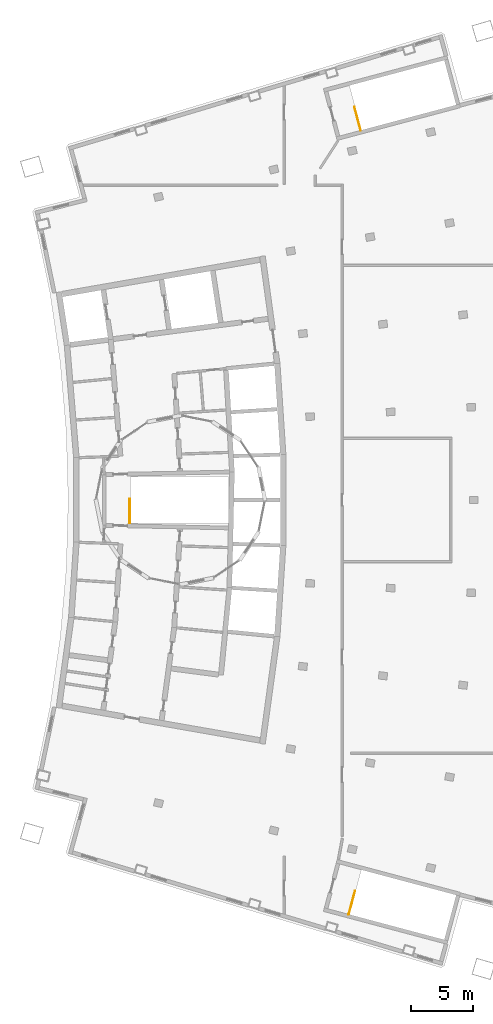
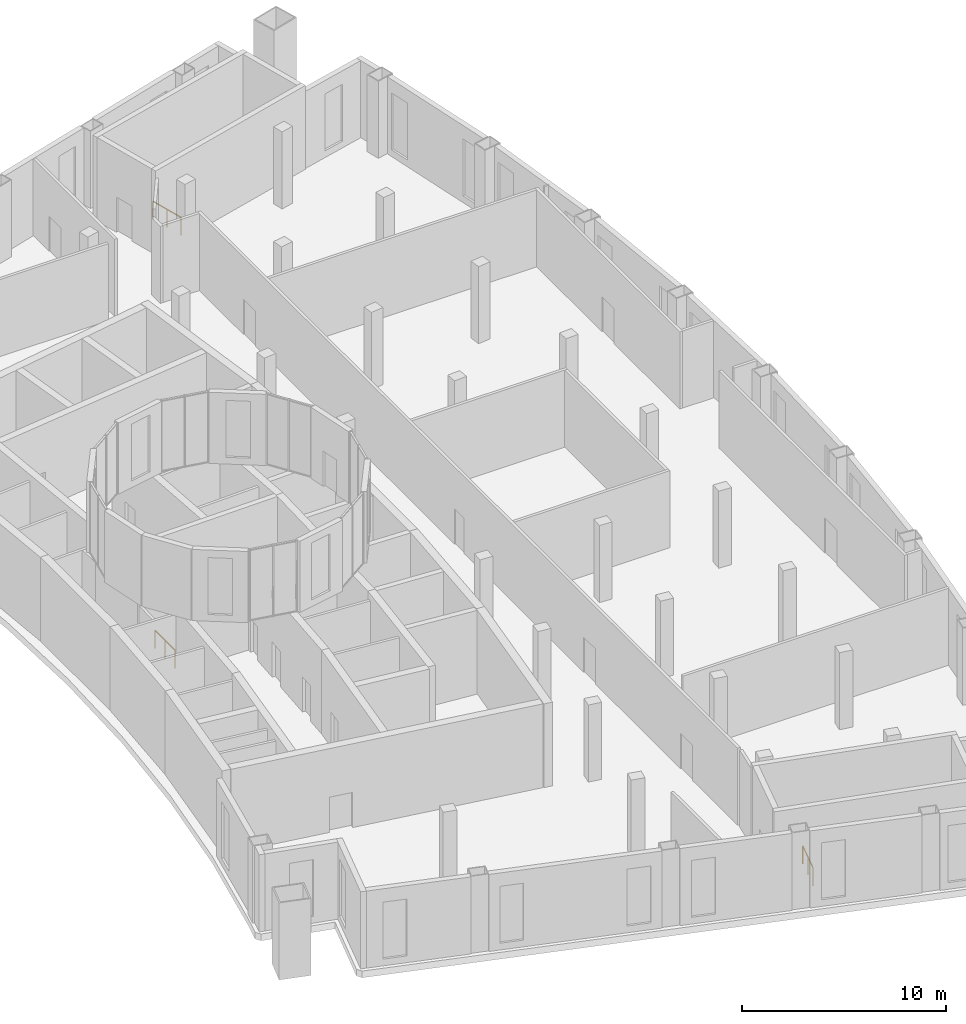
# One storey, part 9 of 9: 3 railings.
"""IFC4 building model written with IfcOpenShell, lengths in metres."""

from ifc_helpers import new_model, si_unit, direction, frame, origin, origin_2d, place, context, subcontext, project, spatial, rectangle, extrude, material, type_object, element, save


model = new_model("IFC4")

# Units and contexts
model_context = context("Model", 3, precision=1e-05, world=origin(), true_north=direction((0.0, 1.0)))
body_context = subcontext(model_context, "Body", "Model", "MODEL_VIEW")
ifc_project = project(units=[si_unit("LENGTHUNIT", "METRE"), si_unit("AREAUNIT", "SQUARE_METRE"), si_unit("VOLUMEUNIT", "CUBIC_METRE"), si_unit("PLANEANGLEUNIT", "RADIAN"), si_unit("MASSUNIT", "GRAM", prefix="KILO")], contexts=[model_context])

# Site, building, storey
site_placement = place(None, origin())
site = spatial("IfcSite", under=ifc_project, at=site_placement, CompositionType="ELEMENT")
building_placement = place(site_placement, origin())
building = spatial("IfcBuilding", under=site, at=building_placement, Name="Alderwake Tower", CompositionType="ELEMENT")
storey_placement = place(building_placement, frame((0.0, 0.0, 310.0)))
storey = spatial("IfcBuildingStorey", under=building, at=storey_placement, Name="L75", CompositionType="ELEMENT", Elevation=310.0)

# Railings
ifc_material = material(Name="Stainless steel guard", Category="steel")
railing_type = type_object("IfcRailingType", Name="Stair guard 1100", PredefinedType="GUARDRAIL", material=ifc_material)
railing_1_placement = place(storey_placement, frame((20.989990234375, 59.125, 0.0)))
element("IfcRailing", 1, at=railing_1_placement, inside=storey, type_object=railing_type, Name="L75 ST-B top well guard 1", PredefinedType="GUARDRAIL", context=body_context, shape_type="SweptSolid", body=[
    extrude(rectangle(XDim=0.048095703125, YDim=0.048095703125, at=origin_2d()), frame((0.0, 0.0, 1.076171875), z_axis=(0.0, 1.0, 0.0), x_axis=(-1.0, 0.0, 0.0)), (0.0, 0.0, 1.0), 1.949951171875),
    extrude(rectangle(XDim=0.0419921875, YDim=0.0419921875, at=origin_2d()), frame((0.0, 0.0, 0.0), z_axis=(0.0, 0.0, 1.0), x_axis=(0.0, 1.0, 0.0)), (0.0, 0.0, 1.0), 1.052001953125),
    extrude(rectangle(XDim=0.0419921875, YDim=0.0419921875, at=origin_2d()), frame((0.0, 0.97509765625, 0.0), z_axis=(0.0, 0.0, 1.0), x_axis=(0.0, 1.0, 0.0)), (0.0, 0.0, 1.0), 1.052001953125),
    extrude(rectangle(XDim=0.0419921875, YDim=0.0419921875, at=origin_2d()), frame((0.0, 1.949951171875, 0.0), z_axis=(0.0, 0.0, 1.0), x_axis=(0.0, 1.0, 0.0)), (0.0, 0.0, 1.0), 1.052001953125),
])
railing_2_placement = place(storey_placement, frame((39.6962890625, 90.94140625, 0.0)))
element("IfcRailing", 2, at=railing_2_placement, inside=storey, type_object=railing_type, Name="L75 ST-A top well guard 1", PredefinedType="GUARDRAIL", context=body_context, shape_type="SweptSolid", body=[
    extrude(rectangle(XDim=0.048095703125, YDim=0.048095703125, at=origin_2d()), frame((0.0, 0.0, 1.076171875), z_axis=(-0.25741327897, 0.966301404226, 0.0), x_axis=(-0.966301404226, -0.25741327897, 0.0)), (0.0, 0.0, 1.0), 1.949951171875),
    extrude(rectangle(XDim=0.0419921875, YDim=0.0419921875, at=origin_2d()), frame((0.0, 0.0, 0.0), z_axis=(0.0, 0.0, 1.0), x_axis=(-0.25741327897, 0.966301404226, 0.0)), (0.0, 0.0, 1.0), 1.052001953125),
    extrude(rectangle(XDim=0.0419921875, YDim=0.0419921875, at=origin_2d()), frame((-0.2509765625, 0.942138671875, 0.0), z_axis=(0.0, 0.0, 1.0), x_axis=(-0.25741327897, 0.966301404226, 0.0)), (0.0, 0.0, 1.0), 1.052001953125),
    extrude(rectangle(XDim=0.0419921875, YDim=0.0419921875, at=origin_2d()), frame((-0.501953125, 1.88427734375, 0.0), z_axis=(0.0, 0.0, 1.0), x_axis=(-0.25741327897, 0.966301404226, 0.0)), (0.0, 0.0, 1.0), 1.052001953125),
])
railing_3_placement = place(storey_placement, frame((38.73095703125, 27.434814453125, 0.0)))
element("IfcRailing", 3, at=railing_3_placement, inside=storey, type_object=railing_type, Name="L75 ST-C top well guard 1", PredefinedType="GUARDRAIL", context=body_context, shape_type="SweptSolid", body=[
    extrude(rectangle(XDim=0.048095703125, YDim=0.048095703125, at=origin_2d()), frame((0.0, 0.0, 1.076171875), z_axis=(0.25741327897, 0.966301404226, 0.0), x_axis=(-0.966301404226, 0.25741327897, 0.0)), (0.0, 0.0, 1.0), 1.949951171875),
    extrude(rectangle(XDim=0.0419921875, YDim=0.0419921875, at=origin_2d()), frame((0.0, 0.0, 0.0), z_axis=(0.0, 0.0, 1.0), x_axis=(0.25741327897, 0.966301404226, 0.0)), (0.0, 0.0, 1.0), 1.052001953125),
    extrude(rectangle(XDim=0.0419921875, YDim=0.0419921875, at=origin_2d()), frame((0.2509765625, 0.942138671875, 0.0), z_axis=(0.0, 0.0, 1.0), x_axis=(0.25741327897, 0.966301404226, 0.0)), (0.0, 0.0, 1.0), 1.052001953125),
    extrude(rectangle(XDim=0.0419921875, YDim=0.0419921875, at=origin_2d()), frame((0.501953125, 1.88427734375, 0.0), z_axis=(0.0, 0.0, 1.0), x_axis=(0.25741327897, 0.966301404226, 0.0)), (0.0, 0.0, 1.0), 1.052001953125),
])

save(model, "model.ifc")
